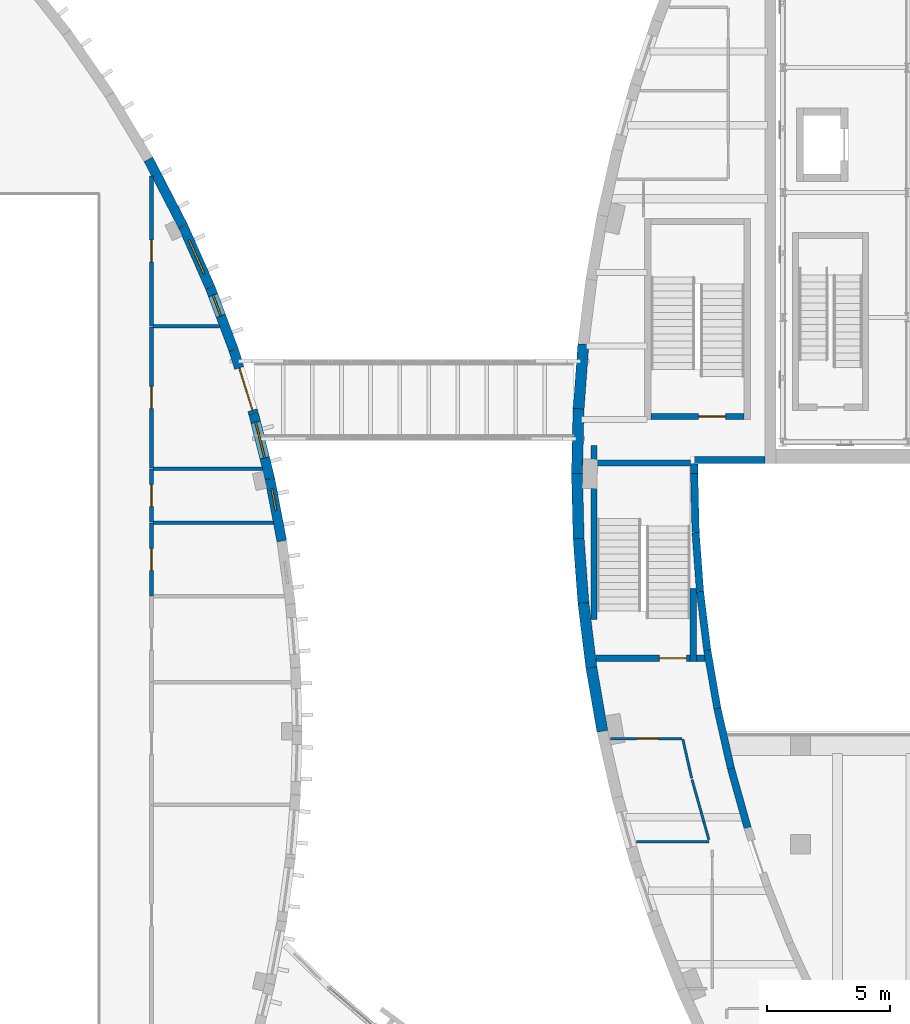
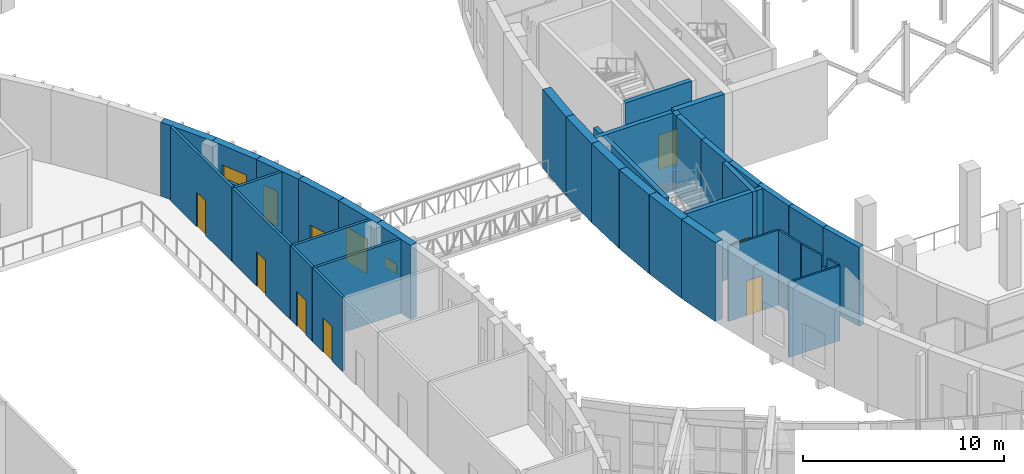
# One storey, part 56 of 93: 38 walls, 8 doors, 4 windows, 12 openings.
"""IFC4 building model written with IfcOpenShell, lengths in metres."""

from ifc_helpers import new_model, si_unit, direction, frame, frame_2d, origin, place, context, subcontext, project, spatial, rectangle, extrude, material, layer, layer_set, type_object, element, fill, save


model = new_model("IFC4")

# Units and contexts
model_context = context("Model", 3, precision=1e-05, world=origin(), true_north=direction((0.0, 1.0)))
body_context = subcontext(model_context, "Body", "Model", "MODEL_VIEW")
ifc_project = project(units=[si_unit("LENGTHUNIT", "METRE"), si_unit("AREAUNIT", "SQUARE_METRE"), si_unit("VOLUMEUNIT", "CUBIC_METRE"), si_unit("PLANEANGLEUNIT", "RADIAN"), si_unit("MASSUNIT", "GRAM", prefix="KILO")], contexts=[model_context])

# Site, building, storey
site_placement = place(None, origin())
site = spatial("IfcSite", under=ifc_project, at=site_placement, CompositionType="ELEMENT")
building_placement = place(site_placement, origin())
building = spatial("IfcBuilding", under=site, at=building_placement, Name="Tide Square Theatres", CompositionType="ELEMENT")
storey_placement = place(building_placement, frame((0.0, 0.0, 5.39990234375)))
storey = spatial("IfcBuildingStorey", under=building, at=storey_placement, Name="L01", CompositionType="ELEMENT", Elevation=5.39990234375)

# Wall, opening, door
ifc_material_1 = material(Name="Gypsum board on steel studs", Category="steel")
ifc_layer_1 = layer(ifc_material_1, 0.10009765625)
ifc_layer_set_1 = layer_set([ifc_layer_1], Name="Gypsum board on steel studs")
wall_type_1 = type_object("IfcWallType", Name="Partition 100 thick", PredefinedType="PARTITIONING", material=ifc_layer_set_1)
wall_1_placement = place(storey_placement, frame((64.263427734375, 44.199951171875, 0.0), z_axis=(0.0, 0.0, 1.0), x_axis=(1.0, 0.0, 0.0)))
wall_1 = element("IfcWall", 1, at=wall_1_placement, inside=storey, type_object=wall_type_1, Name="Partition", PredefinedType="PARTITIONING", context=body_context, shape_type="SweptSolid", body=[
    extrude(rectangle(XDim=2.9140625, YDim=0.10009765625, at=frame_2d((1.45703125, 0.0))), origin(), (0.0, 0.0, 1.0), 4.550048828125),
])
opening_1_placement = place(wall_1_placement, frame((1.056884765625, 0.0, 0.0)))
opening_1 = element("IfcOpeningElement", 2, at=opening_1_placement, cuts=wall_1, Name="Opening M01-14", PredefinedType="OPENING", context=body_context, shape_type="SweptSolid", body=[
    extrude(rectangle(XDim=0.89990234375, YDim=2.10009765625, at=frame_2d((0.449951171875, 1.050048828125))), frame((0.0, 0.06005859375, 0.0), z_axis=(0.0, -1.0, 0.0), x_axis=(1.0, 0.0, 0.0)), (0.0, 0.0, 1.0), 0.1201171875),
])
ifc_material_2 = material(Name="Hardwood timber", Category="wood")
door_type_1 = type_object("IfcDoorType", Name="Door 900 x 2100 single leaf", OperationType="NOTDEFINED", PredefinedType="DOOR", material=ifc_material_2)
door_1_placement = place(opening_1_placement, frame((0.89990234375, 0.0, 0.0), z_axis=(0.0, 0.0, 1.0), x_axis=(-1.0, 0.0, 0.0)))
door_1 = element("IfcDoor", 3, at=door_1_placement, inside=storey, type_object=door_type_1, Name="Band Room door", OperationType="SINGLE_SWING_LEFT", OverallHeight=2.10009765625, OverallWidth=0.89990234375, PredefinedType="DOOR", context=body_context, shape_type="SweptSolid", body=[
    extrude(rectangle(XDim=0.89990234375, YDim=2.10009765625, at=frame_2d((0.449951171875, 1.050048828125))), frame((0.0, 0.02490234375, 0.0), z_axis=(0.0, -1.0, 0.0), x_axis=(1.0, 0.0, 0.0)), (0.0, 0.0, 1.0), 0.050048828125),
])
fill(opening_1, door_1)

# Walls
wall_2_placement = place(storey_placement, frame((65.31396484375, 40.0, 0.0), z_axis=(0.0, 0.0, 1.0), x_axis=(1.0, 0.0, 0.0)))
element("IfcWall", 4, at=wall_2_placement, inside=storey, type_object=wall_type_1, Name="Partition", PredefinedType="PARTITIONING", context=body_context, shape_type="SweptSolid", body=[
    extrude(rectangle(XDim=2.94873046875, YDim=0.10009765625, at=frame_2d((1.474365234375, 0.0))), origin(), (0.0, 0.0, 1.0), 4.550048828125),
])
wall_3_placement = place(storey_placement, frame((67.202880859375, 44.171630859375, 0.0), z_axis=(0.0, 0.0, 1.0), x_axis=(0.22038018305, -0.975414053066, 0.0)))
element("IfcWall", 5, at=wall_3_placement, inside=storey, type_object=wall_type_1, Name="Partition", PredefinedType="PARTITIONING", context=body_context, shape_type="SweptSolid", body=[
    extrude(rectangle(XDim=1.6328125, YDim=0.10009765625, at=frame_2d((0.81640625, 0.0))), origin(), (0.0, 0.0, 1.0), 4.550048828125),
])
wall_4_placement = place(storey_placement, frame((67.576416015625, 42.530029296875, 0.0), z_axis=(0.0, 0.0, 1.0), x_axis=(0.270047530382, -0.962846992691, 0.0)))
element("IfcWall", 6, at=wall_4_placement, inside=storey, type_object=wall_type_1, Name="Partition", PredefinedType="PARTITIONING", context=body_context, shape_type="SweptSolid", body=[
    extrude(rectangle(XDim=1.3876953125, YDim=0.10009765625, at=frame_2d((0.69384765625, 0.0))), origin(), (0.0, 0.0, 1.0), 4.550048828125),
])
wall_5_placement = place(storey_placement, frame((67.951171875, 41.19384765625, 0.0), z_axis=(0.0, 0.0, 1.0), x_axis=(0.26983234105, -0.962907320423, 0.0)))
element("IfcWall", 7, at=wall_5_placement, inside=storey, type_object=wall_type_1, Name="Partition", PredefinedType="PARTITIONING", context=body_context, shape_type="SweptSolid", body=[
    extrude(rectangle(XDim=0.402587890625, YDim=0.10009765625, at=frame_2d((0.201171875, 0.0))), origin(), (0.0, 0.0, 1.0), 3.920166015625),
])
wall_6_placement = place(storey_placement, frame((68.059814453125, 40.80615234375, 0.0), z_axis=(0.0, 0.0, 1.0), x_axis=(0.270039714022, -0.962849184894, 0.0)))
element("IfcWall", 8, at=wall_6_placement, inside=storey, type_object=wall_type_1, Name="Partition", PredefinedType="PARTITIONING", context=body_context, shape_type="SweptSolid", body=[
    extrude(rectangle(XDim=0.751220703125, YDim=0.10009765625, at=frame_2d((0.37548828125, 0.0))), origin(), (0.0, 0.0, 1.0), 4.550048828125),
])

# Wall, opening, door
ifc_material_3 = material(Name="Gypsum board on steel studs", Category="steel")
ifc_layer_2 = layer(ifc_material_3, 0.14990234375)
ifc_layer_set_2 = layer_set([ifc_layer_2], Name="Gypsum board on steel studs")
wall_type_2 = type_object("IfcWallType", Name="Partition 150 thick", PredefinedType="PARTITIONING", material=ifc_layer_set_2)
wall_7_placement = place(storey_placement, frame((45.550048828125, 52.97998046875, 0.0), z_axis=(0.0, 0.0, 1.0), x_axis=(0.0, -1.0, 0.0)))
wall_7 = element("IfcWall", 9, at=wall_7_placement, inside=storey, type_object=wall_type_2, Name="Studio Theatre partition", PredefinedType="PARTITIONING", context=body_context, shape_type="SweptSolid", body=[
    extrude(rectangle(XDim=2.9599609375, YDim=0.14990234375, at=frame_2d((1.47998046875, 0.0))), origin(), (0.0, 0.0, 1.0), 4.5),
])
opening_2_placement = place(wall_7_placement, frame((1.030029296875, 0.0, 0.0)))
opening_2 = element("IfcOpeningElement", 10, at=opening_2_placement, cuts=wall_7, Name="Opening S01-09", PredefinedType="OPENING", context=body_context, shape_type="SweptSolid", body=[
    extrude(rectangle(XDim=0.89990234375, YDim=2.10009765625, at=frame_2d((0.449951171875, 1.050048828125))), frame((0.0, 0.0849609375, 0.0), z_axis=(0.0, -1.0, 0.0), x_axis=(1.0, 0.0, 0.0)), (0.0, 0.0, 1.0), 0.169921875),
])
door_2_placement = place(opening_2_placement, origin())
door_2 = element("IfcDoor", 11, at=door_2_placement, inside=storey, type_object=door_type_1, Name="Women's WC door", OperationType="SINGLE_SWING_RIGHT", OverallHeight=2.10009765625, OverallWidth=0.89990234375, PredefinedType="DOOR", context=body_context, shape_type="SweptSolid", body=[
    extrude(rectangle(XDim=0.89990234375, YDim=2.10009765625, at=frame_2d((0.449951171875, 1.050048828125))), frame((0.0, 0.02490234375, 0.0), z_axis=(0.0, -1.0, 0.0), x_axis=(1.0, 0.0, 0.0)), (0.0, 0.0, 1.0), 0.050048828125),
])
fill(opening_2, door_2)

wall_8_placement = place(storey_placement, frame((45.550048828125, 55.179931640625, 0.0), z_axis=(0.0, 0.0, 1.0), x_axis=(0.0, -1.0, 0.0)))
wall_8 = element("IfcWall", 12, at=wall_8_placement, inside=storey, type_object=wall_type_2, Name="Studio Theatre partition", PredefinedType="PARTITIONING", context=body_context, shape_type="SweptSolid", body=[
    extrude(rectangle(XDim=2.159912109375, YDim=0.14990234375, at=frame_2d((1.080078125, 0.0))), origin(), (0.0, 0.0, 1.0), 4.5),
])
opening_3_placement = place(wall_8_placement, frame((0.6298828125, 0.0, 0.0)))
opening_3 = element("IfcOpeningElement", 13, at=opening_3_placement, cuts=wall_8, Name="Opening S01-10", PredefinedType="OPENING", context=body_context, shape_type="SweptSolid", body=[
    extrude(rectangle(XDim=0.89990234375, YDim=2.10009765625, at=frame_2d((0.449951171875, 1.050048828125))), frame((0.0, 0.0849609375, 0.0), z_axis=(0.0, -1.0, 0.0), x_axis=(1.0, 0.0, 0.0)), (0.0, 0.0, 1.0), 0.169921875),
])
door_3_placement = place(opening_3_placement, origin())
door_3 = element("IfcDoor", 14, at=door_3_placement, inside=storey, type_object=door_type_1, Name="Accessible WC door", OperationType="SINGLE_SWING_RIGHT", OverallHeight=2.10009765625, OverallWidth=0.89990234375, PredefinedType="DOOR", context=body_context, shape_type="SweptSolid", body=[
    extrude(rectangle(XDim=0.89990234375, YDim=2.10009765625, at=frame_2d((0.449951171875, 1.050048828125))), frame((0.0, 0.02490234375, 0.0), z_axis=(0.0, -1.0, 0.0), x_axis=(1.0, 0.0, 0.0)), (0.0, 0.0, 1.0), 0.050048828125),
])
fill(opening_3, door_3)

wall_9_placement = place(storey_placement, frame((45.550048828125, 60.97998046875, 0.0), z_axis=(0.0, 0.0, 1.0), x_axis=(0.0, -1.0, 0.0)))
wall_9 = element("IfcWall", 15, at=wall_9_placement, inside=storey, type_object=wall_type_2, Name="Studio Theatre partition", PredefinedType="PARTITIONING", context=body_context, shape_type="SweptSolid", body=[
    extrude(rectangle(XDim=5.760009765625, YDim=0.14990234375, at=frame_2d((2.8798828125, 0.0))), origin(), (0.0, 0.0, 1.0), 4.5),
])
opening_4_placement = place(wall_9_placement, frame((2.429931640625, 0.0, 0.0)))
opening_4 = element("IfcOpeningElement", 16, at=opening_4_placement, cuts=wall_9, Name="Opening S01-11", PredefinedType="OPENING", context=body_context, shape_type="SweptSolid", body=[
    extrude(rectangle(XDim=0.89990234375, YDim=2.10009765625, at=frame_2d((0.449951171875, 1.050048828125))), frame((0.0, 0.0849609375, 0.0), z_axis=(0.0, -1.0, 0.0), x_axis=(1.0, 0.0, 0.0)), (0.0, 0.0, 1.0), 0.169921875),
])
door_4_placement = place(opening_4_placement, origin())
door_4 = element("IfcDoor", 17, at=door_4_placement, inside=storey, type_object=door_type_1, Name="Bridge Lobby door", OperationType="SINGLE_SWING_RIGHT", OverallHeight=2.10009765625, OverallWidth=0.89990234375, PredefinedType="DOOR", context=body_context, shape_type="SweptSolid", body=[
    extrude(rectangle(XDim=0.89990234375, YDim=2.10009765625, at=frame_2d((0.449951171875, 1.050048828125))), frame((0.0, 0.02490234375, 0.0), z_axis=(0.0, -1.0, 0.0), x_axis=(1.0, 0.0, 0.0)), (0.0, 0.0, 1.0), 0.050048828125),
])
fill(opening_4, door_4)

wall_10_placement = place(storey_placement, frame((45.550048828125, 67.1318359375, 0.0), z_axis=(0.0, 0.0, 1.0), x_axis=(0.0, -1.0, 0.0)))
wall_10 = element("IfcWall", 18, at=wall_10_placement, inside=storey, type_object=wall_type_2, Name="Studio Theatre partition", PredefinedType="PARTITIONING", context=body_context, shape_type="SweptSolid", body=[
    extrude(rectangle(XDim=6.11181640625, YDim=0.14990234375, at=frame_2d((3.055908203125, 0.0))), origin(), (0.0, 0.0, 1.0), 4.5),
])
opening_5_placement = place(wall_10_placement, frame((2.60595703125, 0.0, 0.0)))
opening_5 = element("IfcOpeningElement", 19, at=opening_5_placement, cuts=wall_10, Name="Opening S01-12", PredefinedType="OPENING", context=body_context, shape_type="SweptSolid", body=[
    extrude(rectangle(XDim=0.89990234375, YDim=2.10009765625, at=frame_2d((0.449951171875, 1.050048828125))), frame((0.0, 0.0849609375, 0.0), z_axis=(0.0, -1.0, 0.0), x_axis=(1.0, 0.0, 0.0)), (0.0, 0.0, 1.0), 0.169921875),
])
door_5_placement = place(opening_5_placement, origin())
door_5 = element("IfcDoor", 20, at=door_5_placement, inside=storey, type_object=door_type_1, Name="Store 02 door", OperationType="SINGLE_SWING_RIGHT", OverallHeight=2.10009765625, OverallWidth=0.89990234375, PredefinedType="DOOR", context=body_context, shape_type="SweptSolid", body=[
    extrude(rectangle(XDim=0.89990234375, YDim=2.10009765625, at=frame_2d((0.449951171875, 1.050048828125))), frame((0.0, 0.02490234375, 0.0), z_axis=(0.0, -1.0, 0.0), x_axis=(1.0, 0.0, 0.0)), (0.0, 0.0, 1.0), 0.050048828125),
])
fill(opening_5, door_5)

# Walls
wall_11_placement = place(storey_placement, frame((45.610107421875, 53.0, 0.0), z_axis=(0.0, 0.0, 1.0), x_axis=(1.0, 0.0, 0.0)))
element("IfcWall", 21, at=wall_11_placement, inside=storey, type_object=wall_type_2, Name="Studio Theatre partition", PredefinedType="PARTITIONING", context=body_context, shape_type="SweptSolid", body=[
    extrude(rectangle(XDim=4.90283203125, YDim=0.14990234375, at=frame_2d((2.451416015625, 0.0))), origin(), (0.0, 0.0, 1.0), 4.5),
])
wall_12_placement = place(storey_placement, frame((45.610107421875, 55.199951171875, 0.0), z_axis=(0.0, 0.0, 1.0), x_axis=(1.0, 0.0, 0.0)))
element("IfcWall", 22, at=wall_12_placement, inside=storey, type_object=wall_type_2, Name="Studio Theatre partition", PredefinedType="PARTITIONING", context=body_context, shape_type="SweptSolid", body=[
    extrude(rectangle(XDim=4.45361328125, YDim=0.14990234375, at=frame_2d((2.226806640625, 0.0))), origin(), (0.0, 0.0, 1.0), 4.5),
])
wall_13_placement = place(storey_placement, frame((45.610107421875, 61.0, 0.0), z_axis=(0.0, 0.0, 1.0), x_axis=(1.0, 0.0, 0.0)))
element("IfcWall", 23, at=wall_13_placement, inside=storey, type_object=wall_type_2, Name="Studio Theatre partition", PredefinedType="PARTITIONING", context=body_context, shape_type="SweptSolid", body=[
    extrude(rectangle(XDim=2.701904296875, YDim=0.14990234375, at=frame_2d((1.35107421875, 0.0))), origin(), (0.0, 0.0, 1.0), 4.5),
])

# Wall, opening, window
ifc_material_4 = material(Name="Concrete C40", Category="concrete")
ifc_layer_3 = layer(ifc_material_4, 0.39990234375)
ifc_layer_set_3 = layer_set([ifc_layer_3], Name="Concrete C40")
wall_type_3 = type_object("IfcWallType", Name="RC curved wall 400 thick", PredefinedType="SOLIDWALL", material=ifc_layer_set_3)
wall_14_placement = place(storey_placement, frame((50.8603515625, 52.24951171875, 0.0), z_axis=(0.0, 0.0, 1.0), x_axis=(-0.188763210152, 0.982022632373, 0.0)))
wall_14 = element("IfcWall", 24, at=wall_14_placement, inside=storey, type_object=wall_type_3, Name="Studio Theatre perimeter wall", PredefinedType="SOLIDWALL", context=body_context, shape_type="SweptSolid", body=[
    extrude(rectangle(XDim=2.58154296875, YDim=0.39990234375, at=frame_2d((1.290771484375, 0.0))), origin(), (0.0, 0.0, 1.0), 4.5),
])
opening_6_placement = place(wall_14_placement, frame((1.26708984375, 0.0, 2.0)))
opening_6 = element("IfcOpeningElement", 25, at=opening_6_placement, cuts=wall_14, Name="Opening WN-12", PredefinedType="OPENING", context=body_context, shape_type="SweptSolid", body=[
    extrude(rectangle(XDim=0.89990234375, YDim=0.60009765625, at=frame_2d((0.449951171875, 0.300048828125))), frame((0.0, 0.2099609375, 0.0), z_axis=(0.0, -1.0, 0.0), x_axis=(1.0, 0.0, 0.0)), (0.0, 0.0, 1.0), 0.419921875),
])
ifc_material_5 = material(Name="Aluminium with laminated glass", Category="aluminium")
window_type_1 = type_object("IfcWindowType", Name="Window 900 x 600", PartitioningType="SINGLE_PANEL", PredefinedType="WINDOW", material=ifc_material_5)
window_1_placement = place(opening_6_placement, origin())
window_1 = element("IfcWindow", 26, at=window_1_placement, inside=storey, type_object=window_type_1, Name="Studio Theatre Accessible WC window", OverallHeight=0.60009765625, OverallWidth=0.89990234375, PartitioningType="SINGLE_PANEL", PredefinedType="WINDOW", context=body_context, shape_type="SweptSolid", body=[
    extrude(rectangle(XDim=0.89990234375, YDim=0.60009765625, at=frame_2d((0.449951171875, 0.300048828125))), frame((0.0, 0.030029296875, 0.0), z_axis=(0.0, -1.0, 0.0), x_axis=(1.0, 0.0, 0.0)), (0.0, 0.0, 1.0), 0.06005859375),
])
fill(opening_6, window_1)

wall_15_placement = place(storey_placement, frame((50.37060546875, 54.79541015625, 0.0), z_axis=(0.0, 0.0, 1.0), x_axis=(-0.2430011368, 0.970026003525, 0.0)))
wall_15 = element("IfcWall", 27, at=wall_15_placement, inside=storey, type_object=wall_type_3, Name="Studio Theatre perimeter wall", PredefinedType="SOLIDWALL", context=body_context, shape_type="SweptSolid", body=[
    extrude(rectangle(XDim=2.714599609375, YDim=0.39990234375, at=frame_2d((1.357421875, 0.0))), origin(), (0.0, 0.0, 1.0), 4.5),
])
opening_7_placement = place(wall_15_placement, frame((0.86572265625, 0.0, 0.89990234375)))
opening_7 = element("IfcOpeningElement", 28, at=opening_7_placement, cuts=wall_15, Name="Opening WN-01", PredefinedType="OPENING", context=body_context, shape_type="SweptSolid", body=[
    extrude(rectangle(XDim=1.5, YDim=2.10009765625, at=frame_2d((0.75, 1.050048828125))), frame((0.0, 0.2099609375, 0.0), z_axis=(0.0, -1.0, 0.0), x_axis=(1.0, 0.0, 0.0)), (0.0, 0.0, 1.0), 0.419921875),
])
ifc_material_6 = material(Name="Aluminium with laminated glass", Category="aluminium")
window_type_2 = type_object("IfcWindowType", Name="Window 1500 x 2100", PartitioningType="SINGLE_PANEL", PredefinedType="WINDOW", material=ifc_material_6)
window_2_placement = place(opening_7_placement, origin())
window_2 = element("IfcWindow", 29, at=window_2_placement, inside=storey, type_object=window_type_2, Name="Studio Theatre Bridge Lobby window", OverallHeight=2.10009765625, OverallWidth=1.5, PartitioningType="SINGLE_PANEL", PredefinedType="WINDOW", context=body_context, shape_type="SweptSolid", body=[
    extrude(rectangle(XDim=1.5, YDim=2.10009765625, at=frame_2d((0.75, 1.050048828125))), frame((0.0, 0.030029296875, 0.0), z_axis=(0.0, -1.0, 0.0), x_axis=(1.0, 0.0, 0.0)), (0.0, 0.0, 1.0), 0.06005859375),
])
fill(opening_7, window_2)

# Wall, opening, door
wall_16_placement = place(storey_placement, frame((49.7080078125, 57.439697265625, 0.0), z_axis=(0.0, 0.0, 1.0), x_axis=(-0.29795748067, 0.954579142718, 0.0)))
wall_16 = element("IfcWall", 30, at=wall_16_placement, inside=storey, type_object=wall_type_3, Name="Studio Theatre perimeter wall", PredefinedType="SOLIDWALL", context=body_context, shape_type="SweptSolid", body=[
    extrude(rectangle(XDim=2.714599609375, YDim=0.39990234375, at=frame_2d((1.357421875, 0.0))), origin(), (0.0, 0.0, 1.0), 4.5),
])
opening_8_placement = place(wall_16_placement, frame((0.14990234375, 0.0, 0.0)))
opening_8 = element("IfcOpeningElement", 31, at=opening_8_placement, cuts=wall_16, Name="Opening S01-02", PredefinedType="OPENING", context=body_context, shape_type="SweptSolid", body=[
    extrude(rectangle(XDim=1.800048828125, YDim=2.10009765625, at=frame_2d((0.89990234375, 1.050048828125))), frame((0.0, 0.2099609375, 0.0), z_axis=(0.0, -1.0, 0.0), x_axis=(1.0, 0.0, 0.0)), (0.0, 0.0, 1.0), 0.419921875),
])
ifc_material_7 = material(Name="Hardwood timber", Category="wood")
door_type_2 = type_object("IfcDoorType", Name="Door 1800 x 2100 double leaf", OperationType="DOUBLE_DOOR_SINGLE_SWING", PredefinedType="DOOR", material=ifc_material_7)
door_6_placement = place(opening_8_placement, origin())
door_6 = element("IfcDoor", 32, at=door_6_placement, inside=storey, type_object=door_type_2, Name="Studio Theatre bridge door BR-W1", OperationType="DOUBLE_DOOR_SINGLE_SWING", OverallHeight=2.10009765625, OverallWidth=1.800048828125, PredefinedType="DOOR", context=body_context, shape_type="SweptSolid", body=[
    extrude(rectangle(XDim=1.800048828125, YDim=2.10009765625, at=frame_2d((0.89990234375, 1.050048828125))), frame((0.0, 0.02490234375, 0.0), z_axis=(0.0, -1.0, 0.0), x_axis=(1.0, 0.0, 0.0)), (0.0, 0.0, 1.0), 0.050048828125),
])
fill(opening_8, door_6)

# Wall, opening, window
wall_17_placement = place(storey_placement, frame((48.8955078125, 60.041748046875, 0.0), z_axis=(0.0, 0.0, 1.0), x_axis=(-0.351862601417, 0.936051659752, 0.0)))
wall_17 = element("IfcWall", 33, at=wall_17_placement, inside=storey, type_object=wall_type_3, Name="Studio Theatre perimeter wall", PredefinedType="SOLIDWALL", context=body_context, shape_type="SweptSolid", body=[
    extrude(rectangle(XDim=2.71435546875, YDim=0.39990234375, at=frame_2d((1.357177734375, 0.0))), origin(), (0.0, 0.0, 1.0), 4.5),
])
opening_9_placement = place(wall_17_placement, frame((1.481689453125, 0.0, 0.89990234375)))
opening_9 = element("IfcOpeningElement", 34, at=opening_9_placement, cuts=wall_17, Name="Opening WN-10", PredefinedType="OPENING", context=body_context, shape_type="SweptSolid", body=[
    extrude(rectangle(XDim=0.89990234375, YDim=2.10009765625, at=frame_2d((0.449951171875, 1.050048828125))), frame((0.0, 0.2099609375, 0.0), z_axis=(0.0, -1.0, 0.0), x_axis=(1.0, 0.0, 0.0)), (0.0, 0.0, 1.0), 0.419921875),
])
ifc_material_8 = material(Name="Aluminium with laminated glass", Category="aluminium")
window_type_3 = type_object("IfcWindowType", Name="Window 900 x 2100", PartitioningType="SINGLE_PANEL", PredefinedType="WINDOW", material=ifc_material_8)
window_3_placement = place(opening_9_placement, origin())
window_3 = element("IfcWindow", 35, at=window_3_placement, inside=storey, type_object=window_type_3, Name="Studio Theatre Bridge Lobby window", OverallHeight=2.10009765625, OverallWidth=0.89990234375, PartitioningType="SINGLE_PANEL", PredefinedType="WINDOW", context=body_context, shape_type="SweptSolid", body=[
    extrude(rectangle(XDim=0.89990234375, YDim=2.10009765625, at=frame_2d((0.449951171875, 1.050048828125))), frame((0.0, 0.030029296875, 0.0), z_axis=(0.0, -1.0, 0.0), x_axis=(1.0, 0.0, 0.0)), (0.0, 0.0, 1.0), 0.06005859375),
])
fill(opening_9, window_3)

wall_18_placement = place(storey_placement, frame((47.93603515625, 62.593017578125, 0.0), z_axis=(0.0, 0.0, 1.0), x_axis=(-0.404652153757, 0.914470685402, 0.0)))
wall_18 = element("IfcWall", 36, at=wall_18_placement, inside=storey, type_object=wall_type_3, Name="Studio Theatre perimeter wall", PredefinedType="SOLIDWALL", context=body_context, shape_type="SweptSolid", body=[
    extrude(rectangle(XDim=2.7138671875, YDim=0.39990234375, at=frame_2d((1.35693359375, 0.0))), origin(), (0.0, 0.0, 1.0), 4.5),
])
opening_10_placement = place(wall_18_placement, frame((0.606689453125, 0.0, 2.39990234375)))
opening_10 = element("IfcOpeningElement", 37, at=opening_10_placement, cuts=wall_18, Name="Opening WN-04", PredefinedType="OPENING", context=body_context, shape_type="SweptSolid", body=[
    extrude(rectangle(XDim=1.5, YDim=0.89990234375, at=frame_2d((0.75, 0.449951171875))), frame((0.0, 0.2099609375, 0.0), z_axis=(0.0, -1.0, 0.0), x_axis=(1.0, 0.0, 0.0)), (0.0, 0.0, 1.0), 0.419921875),
])
ifc_material_9 = material(Name="Aluminium with laminated glass", Category="aluminium")
window_type_4 = type_object("IfcWindowType", Name="Window 1500 x 900", PartitioningType="SINGLE_PANEL", PredefinedType="WINDOW", material=ifc_material_9)
window_4_placement = place(opening_10_placement, origin())
window_4 = element("IfcWindow", 38, at=window_4_placement, inside=storey, type_object=window_type_4, Name="Studio Theatre Store 02 window", OverallHeight=0.89990234375, OverallWidth=1.5, PartitioningType="SINGLE_PANEL", PredefinedType="WINDOW", context=body_context, shape_type="SweptSolid", body=[
    extrude(rectangle(XDim=1.5, YDim=0.89990234375, at=frame_2d((0.75, 0.449951171875))), frame((0.0, 0.030029296875, 0.0), z_axis=(0.0, -1.0, 0.0), x_axis=(1.0, 0.0, 0.0)), (0.0, 0.0, 1.0), 0.06005859375),
])
fill(opening_10, window_4)

# Walls
wall_19_placement = place(storey_placement, frame((46.832763671875, 65.085693359375, 0.0), z_axis=(0.0, 0.0, 1.0), x_axis=(-0.45930565039, 0.888278289457, 0.0)))
element("IfcWall", 39, at=wall_19_placement, inside=storey, type_object=wall_type_3, Name="Studio Theatre perimeter wall", PredefinedType="SOLIDWALL", context=body_context, shape_type="SweptSolid", body=[
    extrude(rectangle(XDim=3.05859375, YDim=0.39990234375, at=frame_2d((1.529296875, 0.0))), origin(), (0.0, 0.0, 1.0), 4.5),
])
ifc_material_10 = material(Name="Concrete C40", Category="concrete")
ifc_layer_4 = layer(ifc_material_10, 0.449951171875)
ifc_layer_set_4 = layer_set([ifc_layer_4], Name="Concrete C40")
wall_type_4 = type_object("IfcWallType", Name="RC curved wall 450 thick", PredefinedType="SOLIDWALL", material=ifc_layer_set_4)
wall_20_placement = place(storey_placement, frame((63.149658203125, 60.277099609375, 0.0), z_axis=(0.0, 0.0, 1.0), x_axis=(-0.07363685767, -0.997285121313, 0.0)))
element("IfcWall", 40, at=wall_20_placement, inside=storey, type_object=wall_type_4, Name="Main Theatre perimeter wall", PredefinedType="SOLIDWALL", context=body_context, shape_type="SweptSolid", body=[
    extrude(rectangle(XDim=2.642333984375, YDim=0.449951171875, at=frame_2d((1.3212890625, 0.0))), origin(), (0.0, 0.0, 1.0), 4.800048828125),
])
for number, where, z_axis, x_axis, name in (
    (41, (62.955078125, 57.641845703125, 0.0), (0.0, 0.0, 1.0), (-0.024666736886, -0.999695729756, 0.0), "Main Theatre perimeter wall"),
    (42, (62.889892578125, 55.0, 0.0), (0.0, 0.0, 1.0), (0.024666736886, -0.999695729756, 0.0), "Main Theatre perimeter wall"),
):
    element("IfcWall", number, at=place(storey_placement, frame(where, z_axis=z_axis, x_axis=x_axis)), inside=storey, type_object=wall_type_4, Name=name, PredefinedType="SOLIDWALL", context=body_context, shape_type="SweptSolid", body=[
        extrude(rectangle(XDim=2.642578125, YDim=0.449951171875, at=frame_2d((1.3212890625, 0.0))), origin(), (0.0, 0.0, 1.0), 4.800048828125),
    ])
wall_21_placement = place(storey_placement, frame((62.955078125, 52.358154296875, 0.0), z_axis=(0.0, 0.0, 1.0), x_axis=(0.07363685767, -0.997285121313, 0.0)))
element("IfcWall", 43, at=wall_21_placement, inside=storey, type_object=wall_type_4, Name="Main Theatre perimeter wall", PredefinedType="SOLIDWALL", context=body_context, shape_type="SweptSolid", body=[
    extrude(rectangle(XDim=2.642333984375, YDim=0.449951171875, at=frame_2d((1.3212890625, 0.0))), origin(), (0.0, 0.0, 1.0), 4.800048828125),
])
wall_22_placement = place(storey_placement, frame((63.149658203125, 49.722900390625, 0.0), z_axis=(0.0, 0.0, 1.0), x_axis=(0.122499610212, -0.992468561466, 0.0)))
element("IfcWall", 44, at=wall_22_placement, inside=storey, type_object=wall_type_4, Name="Main Theatre perimeter wall", PredefinedType="SOLIDWALL", context=body_context, shape_type="SweptSolid", body=[
    extrude(rectangle(XDim=2.642822265625, YDim=0.449951171875, at=frame_2d((1.3212890625, 0.0))), origin(), (0.0, 0.0, 1.0), 4.800048828125),
])
wall_23_placement = place(storey_placement, frame((63.473388671875, 47.10009765625, 0.0), z_axis=(0.0, 0.0, 1.0), x_axis=(0.171196910379, -0.985236833394, 0.0)))
element("IfcWall", 45, at=wall_23_placement, inside=storey, type_object=wall_type_4, Name="Main Theatre perimeter wall", PredefinedType="SOLIDWALL", context=body_context, shape_type="SweptSolid", body=[
    extrude(rectangle(XDim=2.642578125, YDim=0.449951171875, at=frame_2d((1.3212890625, 0.0))), origin(), (0.0, 0.0, 1.0), 4.800048828125),
])

# Wall, opening, door
ifc_material_11 = material(Name="Concrete C40", Category="concrete")
ifc_layer_5 = layer(ifc_material_11, 0.25)
ifc_layer_set_5 = layer_set([ifc_layer_5], Name="Concrete C40")
wall_type_5 = type_object("IfcWallType", Name="RC shear wall 250 thick", PredefinedType="SHEAR", material=ifc_layer_set_5)
wall_24_placement = place(storey_placement, frame((69.699951171875, 57.324951171875, 0.0), z_axis=(0.0, 0.0, 1.0), x_axis=(-1.0, 0.0, 0.0)))
wall_24 = element("IfcWall", 46, at=wall_24_placement, inside=storey, type_object=wall_type_5, Name="Main Theatre West Stair shaft wall", PredefinedType="SHEAR", context=body_context, shape_type="SweptSolid", body=[
    extrude(rectangle(XDim=3.800048828125, YDim=0.25, at=frame_2d((1.89990234375, 0.0))), origin(), (0.0, 0.0, 1.0), 4.800048828125),
])
opening_11_placement = place(wall_24_placement, frame((0.75, 0.0, 0.0)))
opening_11 = element("IfcOpeningElement", 47, at=opening_11_placement, cuts=wall_24, Name="Opening M01-01", PredefinedType="OPENING", context=body_context, shape_type="SweptSolid", body=[
    extrude(rectangle(XDim=1.10009765625, YDim=2.10009765625, at=frame_2d((0.550048828125, 1.050048828125))), frame((0.0, 0.135009765625, 0.0), z_axis=(0.0, -1.0, 0.0), x_axis=(1.0, 0.0, 0.0)), (0.0, 0.0, 1.0), 0.27001953125),
])
ifc_material_12 = material(Name="Painted steel", Category="steel")
door_type_3 = type_object("IfcDoorType", Name="Door 1100 x 2100 single leaf", OperationType="NOTDEFINED", PredefinedType="DOOR", material=ifc_material_12)
door_7_placement = place(opening_11_placement, origin())
door_7 = element("IfcDoor", 48, at=door_7_placement, inside=storey, type_object=door_type_3, Name="Main Theatre West Stair stair door", OperationType="SINGLE_SWING_RIGHT", OverallHeight=2.10009765625, OverallWidth=1.10009765625, PredefinedType="DOOR", context=body_context, shape_type="SweptSolid", body=[
    extrude(rectangle(XDim=1.10009765625, YDim=2.10009765625, at=frame_2d((0.550048828125, 1.050048828125))), frame((0.0, 0.02490234375, 0.0), z_axis=(0.0, -1.0, 0.0), x_axis=(1.0, 0.0, 0.0)), (0.0, 0.0, 1.0), 0.050048828125),
])
fill(opening_11, door_7)

# Walls
wall_25_placement = place(storey_placement, frame((67.625, 47.35009765625, 0.0), z_axis=(0.0, 0.0, 1.0), x_axis=(0.0, 1.0, 0.0)))
element("IfcWall", 49, at=wall_25_placement, inside=storey, type_object=wall_type_5, Name="Main Theatre West Circle Stair shaft wall", PredefinedType="SHEAR", context=body_context, shape_type="SweptSolid", body=[
    extrude(rectangle(XDim=2.968017578125, YDim=0.25, at=frame_2d((1.48388671875, 0.0))), origin(), (0.0, 0.0, 1.0), 4.800048828125),
])
wall_26_placement = place(storey_placement, frame((63.574951171875, 56.14990234375, 0.0), z_axis=(0.0, 0.0, 1.0), x_axis=(0.0, -1.0, 0.0)))
element("IfcWall", 50, at=wall_26_placement, inside=storey, type_object=wall_type_5, Name="Main Theatre West Circle Stair shaft wall", PredefinedType="SHEAR", context=body_context, shape_type="SweptSolid", body=[
    extrude(rectangle(XDim=7.089111328125, YDim=0.25, at=frame_2d((3.54443359375, 0.0))), origin(), (0.0, 0.0, 1.0), 4.800048828125),
])
wall_27_placement = place(storey_placement, frame((63.10009765625, 55.425048828125, 0.0), z_axis=(0.0, 0.0, 1.0), x_axis=(1.0, 0.0, 0.0)))
element("IfcWall", 51, at=wall_27_placement, inside=storey, type_object=wall_type_5, Name="Main Theatre West Circle Stair shaft wall", PredefinedType="SHEAR", context=body_context, shape_type="SweptSolid", body=[
    extrude(rectangle(XDim=4.419921875, YDim=0.25, at=frame_2d((2.2099609375, 0.0))), origin(), (0.0, 0.0, 1.0), 4.800048828125),
])

# Wall, opening, door
wall_28_placement = place(storey_placement, frame((68.10009765625, 47.47509765625, 0.0), z_axis=(0.0, 0.0, 1.0), x_axis=(-1.0, 0.0, 0.0)))
wall_28 = element("IfcWall", 52, at=wall_28_placement, inside=storey, type_object=wall_type_5, Name="Main Theatre West Circle Stair shaft wall", PredefinedType="SHEAR", context=body_context, shape_type="SweptSolid", body=[
    extrude(rectangle(XDim=4.43017578125, YDim=0.25, at=frame_2d((2.215087890625, 0.0))), origin(), (0.0, 0.0, 1.0), 4.800048828125),
])
opening_12_placement = place(wall_28_placement, frame((0.75, 0.0, 0.0)))
opening_12 = element("IfcOpeningElement", 53, at=opening_12_placement, cuts=wall_28, Name="Opening M01-03", PredefinedType="OPENING", context=body_context, shape_type="SweptSolid", body=[
    extrude(rectangle(XDim=1.10009765625, YDim=2.10009765625, at=frame_2d((0.550048828125, 1.050048828125))), frame((0.0, 0.135009765625, 0.0), z_axis=(0.0, -1.0, 0.0), x_axis=(1.0, 0.0, 0.0)), (0.0, 0.0, 1.0), 0.27001953125),
])
door_8_placement = place(opening_12_placement, origin())
door_8 = element("IfcDoor", 54, at=door_8_placement, inside=storey, type_object=door_type_3, Name="Main Theatre West Circle Stair stair door", OperationType="SINGLE_SWING_RIGHT", OverallHeight=2.10009765625, OverallWidth=1.10009765625, PredefinedType="DOOR", context=body_context, shape_type="SweptSolid", body=[
    extrude(rectangle(XDim=1.10009765625, YDim=2.10009765625, at=frame_2d((0.550048828125, 1.050048828125))), frame((0.0, 0.02490234375, 0.0), z_axis=(0.0, -1.0, 0.0), x_axis=(1.0, 0.0, 0.0)), (0.0, 0.0, 1.0), 0.050048828125),
])
fill(opening_12, door_8)

# Walls
ifc_material_13 = material(Name="Concrete C40", Category="concrete")
ifc_layer_6 = layer(ifc_material_13, 0.300048828125)
ifc_layer_set_6 = layer_set([ifc_layer_6], Name="Concrete C40")
wall_type_6 = type_object("IfcWallType", Name="RC shear wall 300 thick", PredefinedType="SHEAR", material=ifc_layer_set_6)
wall_29_placement = place(storey_placement, frame((67.67626953125, 55.39990234375, 0.0), z_axis=(0.0, 0.0, 1.0), x_axis=(-0.024412746386, -0.999701964494, 0.0)))
element("IfcWall", 55, at=wall_29_placement, inside=storey, type_object=wall_type_6, Name="Main Theatre auditorium wall", PredefinedType="SHEAR", context=body_context, shape_type="SweptSolid", body=[
    extrude(rectangle(XDim=0.39990234375, YDim=0.300048828125, at=frame_2d((0.199951171875, 0.0))), origin(), (0.0, 0.0, 1.0), 4.800048828125),
])
for number, where, z_axis, x_axis, name in (
    (56, (67.66650390625, 55.0, 0.0), (0.0, 0.0, 1.0), (0.024536221488, -0.999698941599, 0.0), "Main Theatre auditorium wall"),
    (57, (67.7255859375, 52.5927734375, 0.0), (0.0, 0.0, 1.0), (0.073711091533, -0.997279637306, 0.0), "Main Theatre auditorium wall"),
):
    element("IfcWall", number, at=place(storey_placement, frame(where, z_axis=z_axis, x_axis=x_axis)), inside=storey, type_object=wall_type_6, Name=name, PredefinedType="SHEAR", context=body_context, shape_type="SweptSolid", body=[
        extrude(rectangle(XDim=2.407958984375, YDim=0.300048828125, at=frame_2d((1.2041015625, 0.0))), origin(), (0.0, 0.0, 1.0), 4.800048828125),
    ])
wall_30_placement = place(storey_placement, frame((67.903076171875, 50.19140625, 0.0), z_axis=(0.0, 0.0, 1.0), x_axis=(0.122487115362, -0.992470103615, 0.0)))
element("IfcWall", 58, at=wall_30_placement, inside=storey, type_object=wall_type_6, Name="Main Theatre auditorium wall", PredefinedType="SHEAR", context=body_context, shape_type="SweptSolid", body=[
    extrude(rectangle(XDim=2.40771484375, YDim=0.300048828125, at=frame_2d((1.203857421875, 0.0))), origin(), (0.0, 0.0, 1.0), 4.800048828125),
])
wall_31_placement = place(storey_placement, frame((68.197998046875, 47.8017578125, 0.0), z_axis=(0.0, 0.0, 1.0), x_axis=(0.171225522804, -0.985231861209, 0.0)))
element("IfcWall", 59, at=wall_31_placement, inside=storey, type_object=wall_type_6, Name="Main Theatre auditorium wall", PredefinedType="SHEAR", context=body_context, shape_type="SweptSolid", body=[
    extrude(rectangle(XDim=2.405517578125, YDim=0.300048828125, at=frame_2d((1.20263671875, 0.0))), origin(), (0.0, 0.0, 1.0), 4.800048828125),
])
wall_32_placement = place(storey_placement, frame((68.60986328125, 45.431884765625, 0.0), z_axis=(0.0, 0.0, 1.0), x_axis=(0.220389232345, -0.975412008469, 0.0)))
element("IfcWall", 60, at=wall_32_placement, inside=storey, type_object=wall_type_6, Name="Main Theatre auditorium wall", PredefinedType="SHEAR", context=body_context, shape_type="SweptSolid", body=[
    extrude(rectangle(XDim=2.51025390625, YDim=0.300048828125, at=frame_2d((1.255126953125, 0.0))), origin(), (0.0, 0.0, 1.0), 4.800048828125),
])
wall_33_placement = place(storey_placement, frame((69.1630859375, 42.9833984375, 0.0), z_axis=(0.0, 0.0, 1.0), x_axis=(0.269947665913, -0.962874995868, 0.0)))
element("IfcWall", 61, at=wall_33_placement, inside=storey, type_object=wall_type_6, Name="Main Theatre auditorium wall", PredefinedType="SHEAR", context=body_context, shape_type="SweptSolid", body=[
    extrude(rectangle(XDim=2.5078125, YDim=0.300048828125, at=frame_2d((1.25390625, 0.0))), origin(), (0.0, 0.0, 1.0), 4.800048828125),
])
wall_34_placement = place(storey_placement, frame((67.67626953125, 55.550048828125, 0.0), z_axis=(0.0, 0.0, 1.0), x_axis=(1.0, 0.0, 0.0)))
element("IfcWall", 62, at=wall_34_placement, inside=storey, type_object=wall_type_6, Name="Main Theatre auditorium wall", PredefinedType="SHEAR", context=body_context, shape_type="SweptSolid", body=[
    extrude(rectangle(XDim=2.873779296875, YDim=0.300048828125, at=frame_2d((1.43701171875, 0.0))), origin(), (0.0, 0.0, 1.0), 4.800048828125),
])

save(model, "model.ifc")
